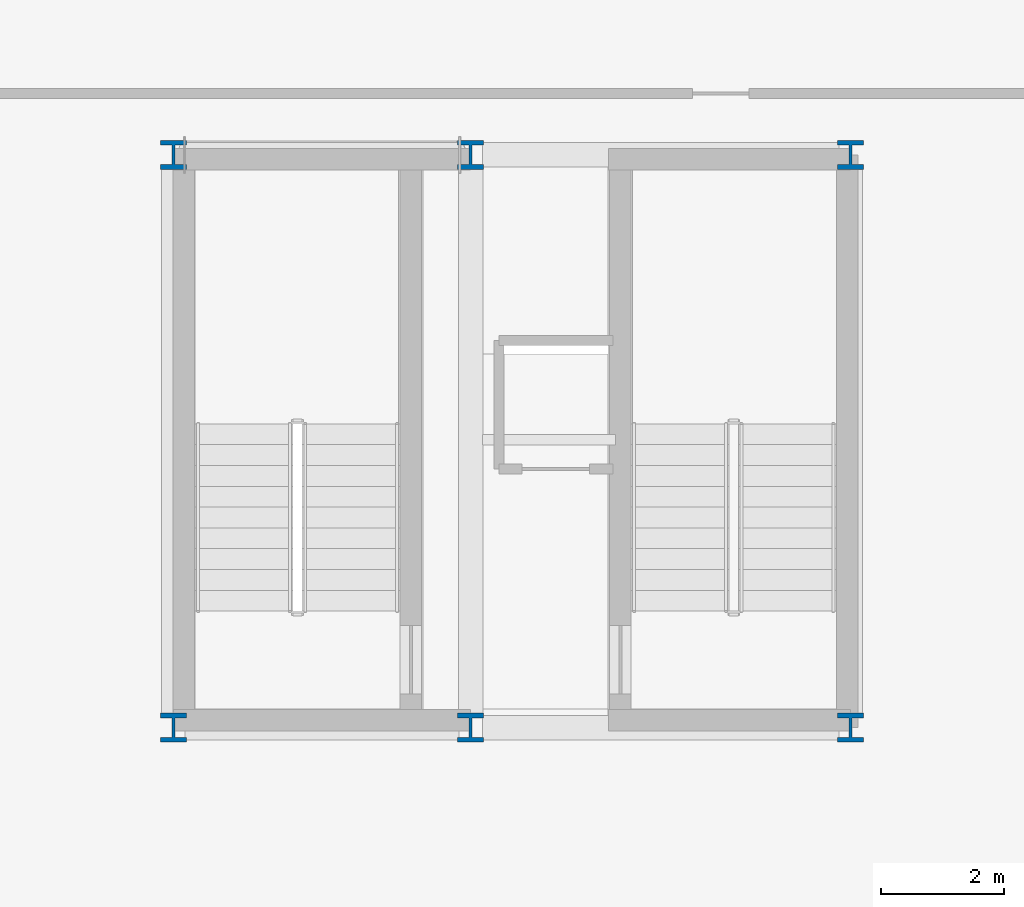
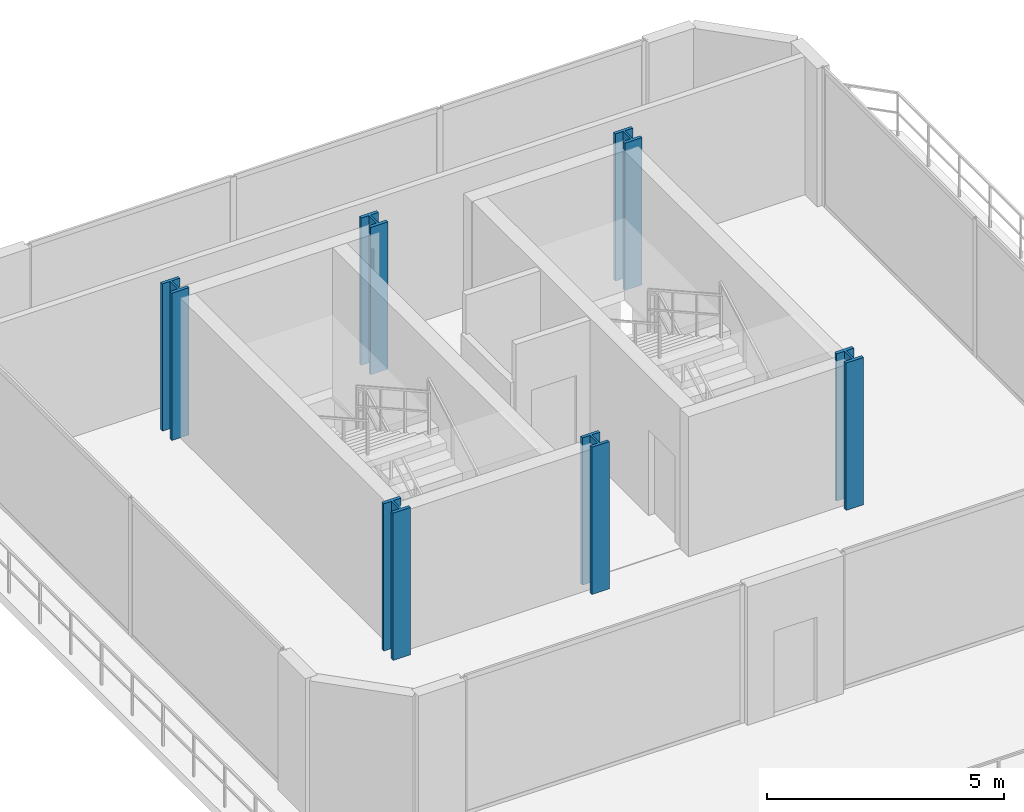
# One storey, part 1 of 12: 6 columns.
"""IFC4 building model written with IfcOpenShell, lengths in metres."""

import ifcopenshell
import ifcopenshell.guid

model = None  # the IFC model being written
_history = None  # IfcOwnerHistory: only IFC2X3 demands one
_inside = {}  # id of a spatial element -> (the spatial element, [elements in it])
_under = {}  # id of a project, library or spatial element -> (it, [spatial elements below it])
_declared = {}  # id of a project -> (the project, [libraries it declares])
_typed = {}  # id of a type object -> (the type object, [elements of that type])
_made_of = {}  # id of a material, layer set ... -> (it, [elements and type objects made of it])


def new_model(schema):
    """Start an empty IFC model of exactly this schema.

    Asked for "IFC4X3", IfcOpenShell would pick the latest addendum, in which some entities
    have other attributes; the version numbers below select the first issue.
    IFC2X3 requires an IfcOwnerHistory on every rooted entity: one is made here for all.
    """
    global model, _history
    if schema == "IFC4X3":
        model = ifcopenshell.file(schema_version=(4, 3, 0, 0))
    else:
        model = ifcopenshell.file(schema=schema)
    _inside.clear()
    _under.clear()
    _declared.clear()
    _typed.clear()
    _made_of.clear()
    _history = None
    if model.schema == "IFC2X3":
        org = make("IfcOrganization", Name="unknown")
        user = make(
            "IfcPersonAndOrganization",
            ThePerson=make("IfcPerson", FamilyName="unknown"),
            TheOrganization=org,
        )
        app = make(
            "IfcApplication",
            ApplicationDeveloper=org,
            Version="unknown",
            ApplicationFullName="unknown",
            ApplicationIdentifier="unknown",
        )
        _history = make(
            "IfcOwnerHistory",
            OwningUser=user,
            OwningApplication=app,
            ChangeAction="ADDED",
            CreationDate=0,
        )
    return model


def make(cls, **values):
    """One entity of the class cls with the attributes given. An attribute that is None is left unset."""
    return model.create_entity(
        cls, **{name: value for name, value in values.items() if value is not None}
    )


def rooted(cls, **values):
    """An entity with a GlobalId (a new one), such as an element, a storey or a relation."""
    return make(cls, GlobalId=ifcopenshell.guid.new(), OwnerHistory=_history, **values)


def si_unit(unit_type, name, prefix=None):
    """IfcSIUnit, for example si_unit("LENGTHUNIT", "METRE", prefix="MILLI")."""
    return make("IfcSIUnit", UnitType=unit_type, Prefix=prefix, Name=name)


def assignment(units):
    """IfcUnitAssignment: the units of a project."""
    return None if units is None else make("IfcUnitAssignment", Units=units)


def point(xyz):
    """IfcCartesianPoint."""
    return None if xyz is None else make("IfcCartesianPoint", Coordinates=xyz)


def direction(xyz):
    """IfcDirection."""
    return None if xyz is None else make("IfcDirection", DirectionRatios=xyz)


def frame(location, z_axis=None, x_axis=None):
    """IfcAxis2Placement3D, a coordinate frame: its origin and axes. An axis left out is left unset."""
    return make(
        "IfcAxis2Placement3D",
        Location=point(location),
        Axis=direction(z_axis),
        RefDirection=direction(x_axis),
    )


def frame_2d(location, x_axis=None):
    """IfcAxis2Placement2D, a coordinate frame in the plane: its origin and x axis."""
    return make(
        "IfcAxis2Placement2D", Location=point(location), RefDirection=direction(x_axis)
    )


def origin():
    """The frame at (0, 0, 0) with its axes left unset."""
    return frame((0.0, 0.0, 0.0))


def origin_2d():
    """The frame at (0, 0) in the plane with its x axis left unset."""
    return frame_2d((0.0, 0.0))


def place(relative_to, where):
    """IfcLocalPlacement: puts the frame where relative to a parent placement (None: the world)."""
    return make(
        "IfcLocalPlacement", PlacementRelTo=relative_to, RelativePlacement=where
    )


def context(
    kind, dimensions, precision=None, world=None, true_north=None, identifier=None
):
    """IfcGeometricRepresentationContext, for example the 3D "Model" context."""
    return make(
        "IfcGeometricRepresentationContext",
        ContextIdentifier=identifier,
        ContextType=kind,
        CoordinateSpaceDimension=dimensions,
        Precision=precision,
        WorldCoordinateSystem=world,
        TrueNorth=true_north,
    )


def subcontext(parent, identifier, kind, view, scale=None):
    """IfcGeometricRepresentationSubContext, for example "Body" below "Model"."""
    return make(
        "IfcGeometricRepresentationSubContext",
        ContextIdentifier=identifier,
        ContextType=kind,
        ParentContext=parent,
        TargetScale=scale,
        TargetView=view,
    )


def project(units=None, contexts=None):
    """IfcProject with its units and contexts."""
    return rooted(
        "IfcProject",
        Name="project",
        RepresentationContexts=contexts,
        UnitsInContext=assignment(units),
    )


def spatial(cls, under=None, at=None, **own):
    """A site, building, storey or space (cls), placed at a placement, below another one or the project."""
    s = rooted(cls, ObjectPlacement=at, **own)
    if under is not None:
        _under.setdefault(under.id(), (under, []))[1].append(s)
    return s


def profile(cls, at=None, kind="AREA", **sizes):
    """A parametric profile (cls). Its sizes go by their IFC names, for example OverallWidth=200.0."""
    return make(cls, ProfileType=kind, Position=at, **sizes)


def i_section(**sizes):
    """IfcIShapeProfileDef."""
    return profile("IfcIShapeProfileDef", **sizes)


def extrude(swept, where, along, depth):
    """IfcExtrudedAreaSolid: the profile swept, set in the frame where, extruded along a direction by depth."""
    return make(
        "IfcExtrudedAreaSolid",
        SweptArea=swept,
        Position=where,
        ExtrudedDirection=direction(along),
        Depth=depth,
    )


def shape(context_of_items, identifier, shape_type, items):
    """IfcShapeRepresentation: the items that make up one representation, for example the "Body"."""
    return make(
        "IfcShapeRepresentation",
        ContextOfItems=context_of_items,
        RepresentationIdentifier=identifier,
        RepresentationType=shape_type,
        Items=items,
    )


def material(Name=None, Category=None):
    """IfcMaterial."""
    return make("IfcMaterial", Name=Name, Category=Category)


def material_profile(
    of_material, cross_section, Name=None, Category=None, Priority=None
):
    """IfcMaterialProfile: a cross section and its material."""
    return make(
        "IfcMaterialProfile",
        Name=Name,
        Material=of_material,
        Profile=cross_section,
        Priority=Priority,
        Category=Category,
    )


def profile_set(profiles, Name=None, composite=None):
    """IfcMaterialProfileSet."""
    return make(
        "IfcMaterialProfileSet",
        Name=Name,
        MaterialProfiles=profiles,
        CompositeProfile=composite,
    )


def made_of(thing, what):
    """Note that an element or type object is made of a material, layer set ...; save() writes the relation."""
    if what is not None:
        _made_of.setdefault(what.id(), (what, []))[1].append(thing)
    return thing


def type_object(cls, material=None, **own):
    """A type object (cls), such as IfcWallType, which elements share."""
    return made_of(rooted(cls, **own), material)


def element(
    cls,
    number,
    at=None,
    inside=None,
    cuts=None,
    type_object=None,
    material=None,
    context=None,
    identifier="Body",
    shape_type=None,
    held_by="IfcProductDefinitionShape",
    body=None,
    shapes=None,
    **own,
):
    """One element of the class cls, such as IfcWall. Its Tag is "e" and its number.

    at: its placement. inside: the storey or other place that contains it. cuts: it is an
    opening in that element (IfcRelVoidsElement). A single representation is given by context,
    identifier, shape_type and body (its items); several are given by shapes. held_by: the class
    of the entity that holds the representations. save() writes the other relations.
    """
    e = rooted(cls, Tag="e%d" % number, ObjectPlacement=at, **own)
    if body is not None:
        shapes = [shape(context, identifier, shape_type, body)]
    if shapes is not None:
        e.Representation = make(held_by, Representations=shapes)
    if inside is not None:
        _inside.setdefault(inside.id(), (inside, []))[1].append(e)
    if cuts is not None:
        rooted(
            "IfcRelVoidsElement", RelatingBuildingElement=cuts, RelatedOpeningElement=e
        )
    if type_object is not None:
        _typed.setdefault(type_object.id(), (type_object, []))[1].append(e)
    return made_of(e, material)


def aggregate(whole, parts):
    """IfcRelAggregates: a whole, such as a stair, and the parts it consists of."""
    return rooted("IfcRelAggregates", RelatingObject=whole, RelatedObjects=parts)


def save(model, path):
    """Write the relations noted so far, then the file.

    IfcRelAggregates (storeys below a building ...), IfcRelContainedInSpatialStructure (elements
    in a storey), IfcRelDefinesByType, IfcRelAssociatesMaterial and IfcRelDeclares: one each for
    every whole, place, type object, material and project.
    """
    for whole, parts in _under.values():
        aggregate(whole, parts)
    for where, things in _inside.values():
        rooted(
            "IfcRelContainedInSpatialStructure",
            RelatedElements=things,
            RelatingStructure=where,
        )
    for kind, things in _typed.values():
        rooted("IfcRelDefinesByType", RelatedObjects=things, RelatingType=kind)
    for what, things in _made_of.values():
        rooted("IfcRelAssociatesMaterial", RelatedObjects=things, RelatingMaterial=what)
    for by, libraries in _declared.values():
        rooted("IfcRelDeclares", RelatingContext=by, RelatedDefinitions=libraries)
    model.write(path)


model = new_model("IFC4")

# Units and contexts
model_context = context("Model", 3, precision=1e-05, world=origin(), true_north=direction((0.0, 1.0)))
body_context = subcontext(model_context, "Body", "Model", "MODEL_VIEW")
ifc_project = project(units=[si_unit("LENGTHUNIT", "METRE"), si_unit("AREAUNIT", "SQUARE_METRE"), si_unit("VOLUMEUNIT", "CUBIC_METRE"), si_unit("PLANEANGLEUNIT", "RADIAN"), si_unit("MASSUNIT", "GRAM", prefix="KILO")], contexts=[model_context])

# Site, building, storey
site_placement = place(None, origin())
site = spatial("IfcSite", under=ifc_project, at=site_placement, CompositionType="ELEMENT")
building_placement = place(site_placement, origin())
building = spatial("IfcBuilding", under=site, at=building_placement, Name="Zuhayl Quay Hotel", CompositionType="ELEMENT")
storey_placement = place(building_placement, frame((0.0, 0.0, 312.449951171875)))
storey = spatial("IfcBuildingStorey", under=building, at=storey_placement, Name="Crown 5", CompositionType="ELEMENT", Elevation=312.449951171875)

# Columns
ifc_material = material(Name="Steel ASTM A913 Grade 65", Category="steel")
ifc_material_profile = material_profile(ifc_material, i_section(OverallWidth=0.424072265625, OverallDepth=0.47412109375, WebThickness=0.047607421875, FlangeThickness=0.0771484375, at=origin_2d()), Name="W14X426")
ifc_profile_set = profile_set([ifc_material_profile], Name="Steel ASTM A913 Grade 65")
column_type = type_object("IfcColumnType", Name="CL_SC3_W14_426", PredefinedType="COLUMN", material=ifc_profile_set)
for number, where, z_axis, x_axis, name in (
    (1, (-9.449951171875, 25.10009765625, 0.0), (0.0, 0.0, 1.0), (1.0, 0.0, 0.0), "Crown 5 Crown Column CRC_SW"),
    (2, (-4.60009765625, 25.10009765625, 0.0), (0.0, 0.0, 1.0), (1.0, 0.0, 0.0), "Crown 5 Crown Column CRC_SM"),
    (3, (1.60009765625, 25.10009765625, 0.0), (0.0, 0.0, 1.0), (1.0, 0.0, 0.0), "Crown 5 Crown Column CRC_SE"),
    (4, (-9.449951171875, 34.449951171875, 0.0), (0.0, 0.0, 1.0), (1.0, 0.0, 0.0), "Crown 5 Crown Column CRC_NW"),
    (5, (-4.60009765625, 34.449951171875, 0.0), (0.0, 0.0, 1.0), (1.0, 0.0, 0.0), "Crown 5 Crown Column CRC_NM"),
    (6, (1.60009765625, 34.449951171875, 0.0), (0.0, 0.0, 1.0), (1.0, 0.0, 0.0), "Crown 5 Crown Column CRC_NE"),
):
    element("IfcColumn", number, at=place(storey_placement, frame(where, z_axis=z_axis, x_axis=x_axis)), inside=storey, type_object=column_type, Name=name, PredefinedType="COLUMN", context=body_context, shape_type="SweptSolid", body=[
        extrude(i_section(OverallWidth=0.424072265625, OverallDepth=0.47412109375, WebThickness=0.047607421875, FlangeThickness=0.0771484375, at=origin_2d()), origin(), (0.0, 0.0, 1.0), 3.800048828125),
    ])

save(model, "model.ifc")
